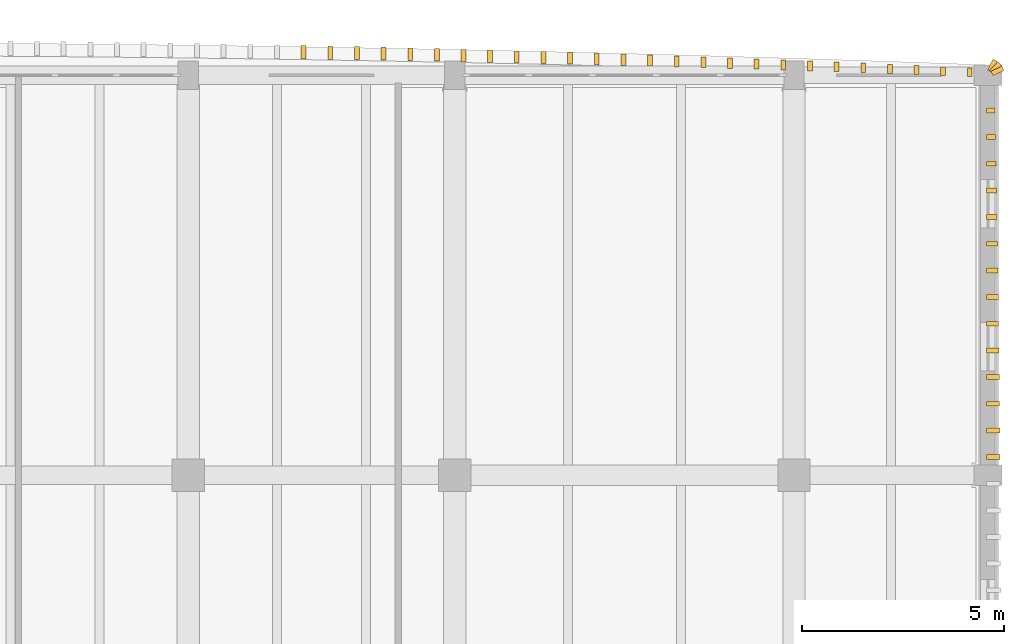
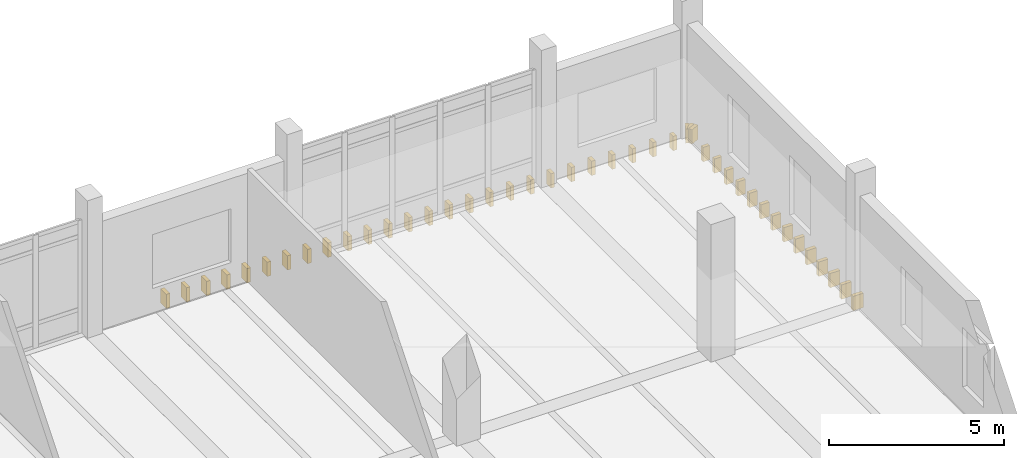
# One storey, part 101 of 101: 43 coverings.
"""IFC4 building model written with IfcOpenShell, lengths in metres."""

from ifc_helpers import new_model, si_unit, direction, frame, origin, origin_2d, place, context, subcontext, project, spatial, rectangle, extrude, material, layer, layer_set, type_object, element, save


model = new_model("IFC4")

# Units and contexts
model_context = context("Model", 3, precision=1e-05, world=origin(), true_north=direction((0.0, 1.0)))
body_context = subcontext(model_context, "Body", "Model", "MODEL_VIEW")
ifc_project = project(units=[si_unit("LENGTHUNIT", "METRE"), si_unit("AREAUNIT", "SQUARE_METRE"), si_unit("VOLUMEUNIT", "CUBIC_METRE"), si_unit("PLANEANGLEUNIT", "RADIAN"), si_unit("MASSUNIT", "GRAM", prefix="KILO")], contexts=[model_context])

# Site, building, storey
site_placement = place(None, origin())
site = spatial("IfcSite", under=ifc_project, at=site_placement, CompositionType="ELEMENT")
building_placement = place(site_placement, origin())
building = spatial("IfcBuilding", under=site, at=building_placement, Name="Dornvale Research Institute", CompositionType="ELEMENT")
storey_placement = place(building_placement, frame((0.0, 0.0, 10.199951171875)))
storey = spatial("IfcBuildingStorey", under=building, at=storey_placement, Name="L02", CompositionType="ELEMENT", Elevation=10.199951171875)

# Coverings
ifc_material = material(Name="Polychrome Glazed Terracotta Visor Rib Ceramic", Category="masonry")
ifc_layer = layer(ifc_material, 0.1201171875)
ifc_layer_set = layer_set([ifc_layer], Name="Polychrome Glazed Terracotta Visor Rib Ceramic")
covering_type = type_object("IfcCoveringType", Name="Covering_VisorBlade_Low", PredefinedType="CLADDING", material=ifc_layer_set)
covering_1_placement = place(storey_placement, frame((177.750244140625, 122.1787109375, -0.489990234375), z_axis=(0.0, 0.0, 1.0), x_axis=(0.0, 1.0, 0.0)))
element("IfcCovering", 1, at=covering_1_placement, inside=storey, type_object=covering_type, Name="L02 V4 canted glazed terracotta visor blade #2072", PredefinedType="CLADDING", context=body_context, shape_type="SweptSolid", body=[
    extrude(rectangle(XDim=0.205078125, YDim=0.1201171875, at=origin_2d()), origin(), (0.0, 0.0, 1.0), 0.5),
])
covering_2_placement = place(storey_placement, frame((177.0908203125, 122.205810546875, -0.489990234375), z_axis=(0.0, 0.0, 1.0), x_axis=(0.0, 1.0, 0.0)))
element("IfcCovering", 2, at=covering_2_placement, inside=storey, type_object=covering_type, Name="L02 V4 canted glazed terracotta visor blade #2073", PredefinedType="CLADDING", context=body_context, shape_type="SweptSolid", body=[
    extrude(rectangle(XDim=0.2119140625, YDim=0.1201171875, at=origin_2d()), origin(), (0.0, 0.0, 1.0), 0.5),
])
covering_3_placement = place(storey_placement, frame((176.43115234375, 122.232421875, -0.489990234375), z_axis=(0.0, 0.0, 1.0), x_axis=(0.0, 1.0, 0.0)))
element("IfcCovering", 3, at=covering_3_placement, inside=storey, type_object=covering_type, Name="L02 V4 canted glazed terracotta visor blade #2074", PredefinedType="CLADDING", context=body_context, shape_type="SweptSolid", body=[
    extrude(rectangle(XDim=0.218017578125, YDim=0.1201171875, at=origin_2d()), origin(), (0.0, 0.0, 1.0), 0.5),
])
covering_4_placement = place(storey_placement, frame((175.771484375, 122.25830078125, -0.489990234375), z_axis=(0.0, 0.0, 1.0), x_axis=(0.0, 1.0, 0.0)))
element("IfcCovering", 4, at=covering_4_placement, inside=storey, type_object=covering_type, Name="L02 V4 canted glazed terracotta visor blade #2075", PredefinedType="CLADDING", context=body_context, shape_type="SweptSolid", body=[
    extrude(rectangle(XDim=0.22509765625, YDim=0.1201171875, at=origin_2d()), origin(), (0.0, 0.0, 1.0), 0.5),
])
covering_5_placement = place(storey_placement, frame((175.11181640625, 122.2841796875, -0.489990234375), z_axis=(0.0, 0.0, 1.0), x_axis=(0.0, 1.0, 0.0)))
element("IfcCovering", 5, at=covering_5_placement, inside=storey, type_object=covering_type, Name="L02 V4 canted glazed terracotta visor blade #2076", PredefinedType="CLADDING", context=body_context, shape_type="SweptSolid", body=[
    extrude(rectangle(XDim=0.23193359375, YDim=0.1201171875, at=origin_2d()), origin(), (0.0, 0.0, 1.0), 0.5),
])
covering_6_placement = place(storey_placement, frame((174.4521484375, 122.30859375, -0.489990234375), z_axis=(0.0, 0.0, 1.0), x_axis=(0.0, 1.0, 0.0)))
element("IfcCovering", 6, at=covering_6_placement, inside=storey, type_object=covering_type, Name="L02 V4 canted glazed terracotta visor blade #2077", PredefinedType="CLADDING", context=body_context, shape_type="SweptSolid", body=[
    extrude(rectangle(XDim=0.238037109375, YDim=0.1201171875, at=origin_2d()), origin(), (0.0, 0.0, 1.0), 0.5),
])
covering_7_placement = place(storey_placement, frame((173.79248046875, 122.332763671875, -0.489990234375), z_axis=(0.0, 0.0, 1.0), x_axis=(0.0, 1.0, 0.0)))
element("IfcCovering", 7, at=covering_7_placement, inside=storey, type_object=covering_type, Name="L02 V4 canted glazed terracotta visor blade #2078", PredefinedType="CLADDING", context=body_context, shape_type="SweptSolid", body=[
    extrude(rectangle(XDim=0.243896484375, YDim=0.1201171875, at=origin_2d()), origin(), (0.0, 0.0, 1.0), 0.5),
])
covering_8_placement = place(storey_placement, frame((173.1328125, 122.356689453125, -0.489990234375), z_axis=(0.0, 0.0, 1.0), x_axis=(0.0, 1.0, 0.0)))
element("IfcCovering", 8, at=covering_8_placement, inside=storey, type_object=covering_type, Name="L02 V4 canted glazed terracotta visor blade #2079", PredefinedType="CLADDING", context=body_context, shape_type="SweptSolid", body=[
    extrude(rectangle(XDim=0.25, YDim=0.1201171875, at=origin_2d()), origin(), (0.0, 0.0, 1.0), 0.5),
])
covering_9_placement = place(storey_placement, frame((172.47314453125, 122.37939453125, -0.489990234375), z_axis=(0.0, 0.0, 1.0), x_axis=(0.0, 1.0, 0.0)))
element("IfcCovering", 9, at=covering_9_placement, inside=storey, type_object=covering_type, Name="L02 V4 canted glazed terracotta visor blade #2080", PredefinedType="CLADDING", context=body_context, shape_type="SweptSolid", body=[
    extrude(rectangle(XDim=0.256103515625, YDim=0.1201171875, at=origin_2d()), origin(), (0.0, 0.0, 1.0), 0.5),
])
covering_10_placement = place(storey_placement, frame((171.8134765625, 122.4013671875, -0.489990234375), z_axis=(0.0, 0.0, 1.0), x_axis=(0.0, 1.0, 0.0)))
element("IfcCovering", 10, at=covering_10_placement, inside=storey, type_object=covering_type, Name="L02 V4 canted glazed terracotta visor blade #2081", PredefinedType="CLADDING", context=body_context, shape_type="SweptSolid", body=[
    extrude(rectangle(XDim=0.260986328125, YDim=0.1201171875, at=origin_2d()), origin(), (0.0, 0.0, 1.0), 0.5),
])
covering_11_placement = place(storey_placement, frame((171.15380859375, 122.423095703125, -0.489990234375), z_axis=(0.0, 0.0, 1.0), x_axis=(0.0, 1.0, 0.0)))
element("IfcCovering", 11, at=covering_11_placement, inside=storey, type_object=covering_type, Name="L02 V4 canted glazed terracotta visor blade #2082", PredefinedType="CLADDING", context=body_context, shape_type="SweptSolid", body=[
    extrude(rectangle(XDim=0.26708984375, YDim=0.1201171875, at=origin_2d()), origin(), (0.0, 0.0, 1.0), 0.5),
])
covering_12_placement = place(storey_placement, frame((170.493896484375, 122.444091796875, -0.489990234375), z_axis=(0.0, 0.0, 1.0), x_axis=(0.0, 1.0, 0.0)))
element("IfcCovering", 12, at=covering_12_placement, inside=storey, type_object=covering_type, Name="L02 V4 canted glazed terracotta visor blade #2083", PredefinedType="CLADDING", context=body_context, shape_type="SweptSolid", body=[
    extrude(rectangle(XDim=0.27197265625, YDim=0.1201171875, at=origin_2d()), origin(), (0.0, 0.0, 1.0), 0.5),
])
covering_13_placement = place(storey_placement, frame((169.834228515625, 122.464599609375, -0.489990234375), z_axis=(0.0, 0.0, 1.0), x_axis=(0.0, 1.0, 0.0)))
element("IfcCovering", 13, at=covering_13_placement, inside=storey, type_object=covering_type, Name="L02 V4 canted glazed terracotta visor blade #2084", PredefinedType="CLADDING", context=body_context, shape_type="SweptSolid", body=[
    extrude(rectangle(XDim=0.277099609375, YDim=0.1201171875, at=origin_2d()), origin(), (0.0, 0.0, 1.0), 0.5),
])
covering_14_placement = place(storey_placement, frame((169.174560546875, 122.484130859375, -0.489990234375), z_axis=(0.0, 0.0, 1.0), x_axis=(0.0, 1.0, 0.0)))
element("IfcCovering", 14, at=covering_14_placement, inside=storey, type_object=covering_type, Name="L02 V4 canted glazed terracotta visor blade #2085", PredefinedType="CLADDING", context=body_context, shape_type="SweptSolid", body=[
    extrude(rectangle(XDim=0.281982421875, YDim=0.1201171875, at=origin_2d()), origin(), (0.0, 0.0, 1.0), 0.5),
])
covering_15_placement = place(storey_placement, frame((168.5146484375, 122.503662109375, -0.489990234375), z_axis=(0.0, 0.0, 1.0), x_axis=(0.0, 1.0, 0.0)))
element("IfcCovering", 15, at=covering_15_placement, inside=storey, type_object=covering_type, Name="L02 V4 canted glazed terracotta visor blade #2086", PredefinedType="CLADDING", context=body_context, shape_type="SweptSolid", body=[
    extrude(rectangle(XDim=0.287109375, YDim=0.1201171875, at=origin_2d()), origin(), (0.0, 0.0, 1.0), 0.5),
])
covering_16_placement = place(storey_placement, frame((167.85498046875, 122.522216796875, -0.489990234375), z_axis=(0.0, 0.0, 1.0), x_axis=(0.0, 1.0, 0.0)))
element("IfcCovering", 16, at=covering_16_placement, inside=storey, type_object=covering_type, Name="L02 V4 canted glazed terracotta visor blade #2087", PredefinedType="CLADDING", context=body_context, shape_type="SweptSolid", body=[
    extrude(rectangle(XDim=0.2919921875, YDim=0.1201171875, at=origin_2d()), origin(), (0.0, 0.0, 1.0), 0.5),
])
covering_17_placement = place(storey_placement, frame((167.195068359375, 122.540283203125, -0.489990234375), z_axis=(0.0, 0.0, 1.0), x_axis=(0.0, 1.0, 0.0)))
element("IfcCovering", 17, at=covering_17_placement, inside=storey, type_object=covering_type, Name="L02 V4 canted glazed terracotta visor blade #2088", PredefinedType="CLADDING", context=body_context, shape_type="SweptSolid", body=[
    extrude(rectangle(XDim=0.297119140625, YDim=0.1201171875, at=origin_2d()), origin(), (0.0, 0.0, 1.0), 0.5),
])
covering_18_placement = place(storey_placement, frame((166.535400390625, 122.5576171875, -0.489990234375), z_axis=(0.0, 0.0, 1.0), x_axis=(0.0, 1.0, 0.0)))
element("IfcCovering", 18, at=covering_18_placement, inside=storey, type_object=covering_type, Name="L02 V4 canted glazed terracotta visor blade #2089", PredefinedType="CLADDING", context=body_context, shape_type="SweptSolid", body=[
    extrude(rectangle(XDim=0.301025390625, YDim=0.1201171875, at=origin_2d()), origin(), (0.0, 0.0, 1.0), 0.5),
])
covering_19_placement = place(storey_placement, frame((165.87548828125, 122.57373046875, -0.489990234375), z_axis=(0.0, 0.0, 1.0), x_axis=(0.0, 1.0, 0.0)))
element("IfcCovering", 19, at=covering_19_placement, inside=storey, type_object=covering_type, Name="L02 V4 canted glazed terracotta visor blade #2090", PredefinedType="CLADDING", context=body_context, shape_type="SweptSolid", body=[
    extrude(rectangle(XDim=0.304931640625, YDim=0.1201171875, at=origin_2d()), origin(), (0.0, 0.0, 1.0), 0.5),
])
covering_20_placement = place(storey_placement, frame((165.215576171875, 122.590087890625, -0.489990234375), z_axis=(0.0, 0.0, 1.0), x_axis=(0.0, 1.0, 0.0)))
element("IfcCovering", 20, at=covering_20_placement, inside=storey, type_object=covering_type, Name="L02 V4 canted glazed terracotta visor blade #2091", PredefinedType="CLADDING", context=body_context, shape_type="SweptSolid", body=[
    extrude(rectangle(XDim=0.30908203125, YDim=0.1201171875, at=origin_2d()), origin(), (0.0, 0.0, 1.0), 0.5),
])
covering_21_placement = place(storey_placement, frame((164.5556640625, 122.60546875, -0.489990234375), z_axis=(0.0, 0.0, 1.0), x_axis=(0.0, 1.0, 0.0)))
element("IfcCovering", 21, at=covering_21_placement, inside=storey, type_object=covering_type, Name="L02 V4 canted glazed terracotta visor blade #2092", PredefinedType="CLADDING", context=body_context, shape_type="SweptSolid", body=[
    extrude(rectangle(XDim=0.31298828125, YDim=0.1201171875, at=origin_2d()), origin(), (0.0, 0.0, 1.0), 0.5),
])
covering_22_placement = place(storey_placement, frame((163.895751953125, 122.620361328125, -0.489990234375), z_axis=(0.0, 0.0, 1.0), x_axis=(0.0, 1.0, 0.0)))
element("IfcCovering", 22, at=covering_22_placement, inside=storey, type_object=covering_type, Name="L02 V4 canted glazed terracotta visor blade #2093", PredefinedType="CLADDING", context=body_context, shape_type="SweptSolid", body=[
    extrude(rectangle(XDim=0.31689453125, YDim=0.1201171875, at=origin_2d()), origin(), (0.0, 0.0, 1.0), 0.5),
])
covering_23_placement = place(storey_placement, frame((163.236083984375, 122.635009765625, -0.489990234375), z_axis=(0.0, 0.0, 1.0), x_axis=(0.0, 1.0, 0.0)))
element("IfcCovering", 23, at=covering_23_placement, inside=storey, type_object=covering_type, Name="L02 V4 canted glazed terracotta visor blade #2094", PredefinedType="CLADDING", context=body_context, shape_type="SweptSolid", body=[
    extrude(rectangle(XDim=0.321044921875, YDim=0.1201171875, at=origin_2d()), origin(), (0.0, 0.0, 1.0), 0.5),
])
covering_24_placement = place(storey_placement, frame((162.576171875, 122.648193359375, -0.489990234375), z_axis=(0.0, 0.0, 1.0), x_axis=(0.0, 1.0, 0.0)))
element("IfcCovering", 24, at=covering_24_placement, inside=storey, type_object=covering_type, Name="L02 V4 canted glazed terracotta visor blade #2095", PredefinedType="CLADDING", context=body_context, shape_type="SweptSolid", body=[
    extrude(rectangle(XDim=0.323974609375, YDim=0.1201171875, at=origin_2d()), origin(), (0.0, 0.0, 1.0), 0.5),
])
covering_25_placement = place(storey_placement, frame((161.916259765625, 122.6611328125, -0.489990234375), z_axis=(0.0, 0.0, 1.0), x_axis=(0.0, 1.0, 0.0)))
element("IfcCovering", 25, at=covering_25_placement, inside=storey, type_object=covering_type, Name="L02 V4 canted glazed terracotta visor blade #2096", PredefinedType="CLADDING", context=body_context, shape_type="SweptSolid", body=[
    extrude(rectangle(XDim=0.326904296875, YDim=0.1201171875, at=origin_2d()), origin(), (0.0, 0.0, 1.0), 0.5),
])
covering_26_placement = place(storey_placement, frame((161.256103515625, 122.673095703125, -0.489990234375), z_axis=(0.0, 0.0, 1.0), x_axis=(0.0, 1.0, 0.0)))
element("IfcCovering", 26, at=covering_26_placement, inside=storey, type_object=covering_type, Name="L02 V4 canted glazed terracotta visor blade #2097", PredefinedType="CLADDING", context=body_context, shape_type="SweptSolid", body=[
    extrude(rectangle(XDim=0.330078125, YDim=0.1201171875, at=origin_2d()), origin(), (0.0, 0.0, 1.0), 0.5),
])
covering_27_placement = place(storey_placement, frame((178.32958984375, 112.64990234375, -0.489990234375), z_axis=(0.0, 0.0, 1.0), x_axis=(1.0, 0.0, 0.0)))
element("IfcCovering", 27, at=covering_27_placement, inside=storey, type_object=covering_type, Name="L02 V4 canted glazed terracotta visor blade #2191", PredefinedType="CLADDING", context=body_context, shape_type="SweptSolid", body=[
    extrude(rectangle(XDim=0.339111328125, YDim=0.1201171875, at=origin_2d()), origin(), (0.0, 0.0, 1.0), 0.5),
])
covering_28_placement = place(storey_placement, frame((178.326416015625, 113.31005859375, -0.489990234375), z_axis=(0.0, 0.0, 1.0), x_axis=(1.0, 0.0, 0.0)))
element("IfcCovering", 28, at=covering_28_placement, inside=storey, type_object=covering_type, Name="L02 V4 canted glazed terracotta visor blade #2192", PredefinedType="CLADDING", context=body_context, shape_type="SweptSolid", body=[
    extrude(rectangle(XDim=0.3330078125, YDim=0.1201171875, at=origin_2d()), origin(), (0.0, 0.0, 1.0), 0.5),
])
covering_29_placement = place(storey_placement, frame((178.323486328125, 113.969970703125, -0.489990234375), z_axis=(0.0, 0.0, 1.0), x_axis=(1.0, 0.0, 0.0)))
element("IfcCovering", 29, at=covering_29_placement, inside=storey, type_object=covering_type, Name="L02 V4 canted glazed terracotta visor blade #2193", PredefinedType="CLADDING", context=body_context, shape_type="SweptSolid", body=[
    extrude(rectangle(XDim=0.326904296875, YDim=0.1201171875, at=origin_2d()), origin(), (0.0, 0.0, 1.0), 0.5),
])
covering_30_placement = place(storey_placement, frame((178.320068359375, 114.6298828125, -0.489990234375), z_axis=(0.0, 0.0, 1.0), x_axis=(1.0, 0.0, 0.0)))
element("IfcCovering", 30, at=covering_30_placement, inside=storey, type_object=covering_type, Name="L02 V4 canted glazed terracotta visor blade #2194", PredefinedType="CLADDING", context=body_context, shape_type="SweptSolid", body=[
    extrude(rectangle(XDim=0.320068359375, YDim=0.1201171875, at=origin_2d()), origin(), (0.0, 0.0, 1.0), 0.5),
])
covering_31_placement = place(storey_placement, frame((178.31640625, 115.2900390625, -0.489990234375), z_axis=(0.0, 0.0, 1.0), x_axis=(1.0, 0.0, 0.0)))
element("IfcCovering", 31, at=covering_31_placement, inside=storey, type_object=covering_type, Name="L02 V4 canted glazed terracotta visor blade #2195", PredefinedType="CLADDING", context=body_context, shape_type="SweptSolid", body=[
    extrude(rectangle(XDim=0.31298828125, YDim=0.1201171875, at=origin_2d()), origin(), (0.0, 0.0, 1.0), 0.5),
])
covering_32_placement = place(storey_placement, frame((178.3125, 115.949951171875, -0.489990234375), z_axis=(0.0, 0.0, 1.0), x_axis=(1.0, 0.0, 0.0)))
element("IfcCovering", 32, at=covering_32_placement, inside=storey, type_object=covering_type, Name="L02 V4 canted glazed terracotta visor blade #2196", PredefinedType="CLADDING", context=body_context, shape_type="SweptSolid", body=[
    extrude(rectangle(XDim=0.304931640625, YDim=0.1201171875, at=origin_2d()), origin(), (0.0, 0.0, 1.0), 0.5),
])
covering_33_placement = place(storey_placement, frame((178.30810546875, 116.610107421875, -0.489990234375), z_axis=(0.0, 0.0, 1.0), x_axis=(1.0, 0.0, 0.0)))
element("IfcCovering", 33, at=covering_33_placement, inside=storey, type_object=covering_type, Name="L02 V4 canted glazed terracotta visor blade #2197", PredefinedType="CLADDING", context=body_context, shape_type="SweptSolid", body=[
    extrude(rectangle(XDim=0.2958984375, YDim=0.1201171875, at=origin_2d()), origin(), (0.0, 0.0, 1.0), 0.5),
])
covering_34_placement = place(storey_placement, frame((178.303466796875, 117.27001953125, -0.489990234375), z_axis=(0.0, 0.0, 1.0), x_axis=(1.0, 0.0, 0.0)))
element("IfcCovering", 34, at=covering_34_placement, inside=storey, type_object=covering_type, Name="L02 V4 canted glazed terracotta visor blade #2198", PredefinedType="CLADDING", context=body_context, shape_type="SweptSolid", body=[
    extrude(rectangle(XDim=0.287109375, YDim=0.1201171875, at=origin_2d()), origin(), (0.0, 0.0, 1.0), 0.5),
])
covering_35_placement = place(storey_placement, frame((178.298583984375, 117.929931640625, -0.489990234375), z_axis=(0.0, 0.0, 1.0), x_axis=(1.0, 0.0, 0.0)))
element("IfcCovering", 35, at=covering_35_placement, inside=storey, type_object=covering_type, Name="L02 V4 canted glazed terracotta visor blade #2199", PredefinedType="CLADDING", context=body_context, shape_type="SweptSolid", body=[
    extrude(rectangle(XDim=0.277099609375, YDim=0.1201171875, at=origin_2d()), origin(), (0.0, 0.0, 1.0), 0.5),
])
covering_36_placement = place(storey_placement, frame((178.29345703125, 118.590087890625, -0.489990234375), z_axis=(0.0, 0.0, 1.0), x_axis=(1.0, 0.0, 0.0)))
element("IfcCovering", 36, at=covering_36_placement, inside=storey, type_object=covering_type, Name="L02 V4 canted glazed terracotta visor blade #2200", PredefinedType="CLADDING", context=body_context, shape_type="SweptSolid", body=[
    extrude(rectangle(XDim=0.26708984375, YDim=0.1201171875, at=origin_2d()), origin(), (0.0, 0.0, 1.0), 0.5),
])
covering_37_placement = place(storey_placement, frame((178.2880859375, 119.25, -0.489990234375), z_axis=(0.0, 0.0, 1.0), x_axis=(1.0, 0.0, 0.0)))
element("IfcCovering", 37, at=covering_37_placement, inside=storey, type_object=covering_type, Name="L02 V4 canted glazed terracotta visor blade #2201", PredefinedType="CLADDING", context=body_context, shape_type="SweptSolid", body=[
    extrude(rectangle(XDim=0.256103515625, YDim=0.1201171875, at=origin_2d()), origin(), (0.0, 0.0, 1.0), 0.5),
])
covering_38_placement = place(storey_placement, frame((178.281982421875, 119.909912109375, -0.489990234375), z_axis=(0.0, 0.0, 1.0), x_axis=(1.0, 0.0, 0.0)))
element("IfcCovering", 38, at=covering_38_placement, inside=storey, type_object=covering_type, Name="L02 V4 canted glazed terracotta visor blade #2202", PredefinedType="CLADDING", context=body_context, shape_type="SweptSolid", body=[
    extrude(rectangle(XDim=0.243896484375, YDim=0.1201171875, at=origin_2d()), origin(), (0.0, 0.0, 1.0), 0.5),
])
covering_39_placement = place(storey_placement, frame((178.275390625, 120.570068359375, -0.489990234375), z_axis=(0.0, 0.0, 1.0), x_axis=(1.0, 0.0, 0.0)))
element("IfcCovering", 39, at=covering_39_placement, inside=storey, type_object=covering_type, Name="L02 V4 canted glazed terracotta visor blade #2203", PredefinedType="CLADDING", context=body_context, shape_type="SweptSolid", body=[
    extrude(rectangle(XDim=0.23095703125, YDim=0.1201171875, at=origin_2d()), origin(), (0.0, 0.0, 1.0), 0.5),
])
covering_40_placement = place(storey_placement, frame((178.26904296875, 121.22998046875, -0.489990234375), z_axis=(0.0, 0.0, 1.0), x_axis=(1.0, 0.0, 0.0)))
element("IfcCovering", 40, at=covering_40_placement, inside=storey, type_object=covering_type, Name="L02 V4 canted glazed terracotta visor blade #2204", PredefinedType="CLADDING", context=body_context, shape_type="SweptSolid", body=[
    extrude(rectangle(XDim=0.218017578125, YDim=0.1201171875, at=origin_2d()), origin(), (0.0, 0.0, 1.0), 0.5),
])
for number, where, z_axis, x_axis, name in (
    (41, (178.435546875, 122.2099609375, -0.489990234375), (0.0, 0.0, 1.0), (0.906307787037, 0.422618261741, 0.0), "L02 V4 corner-wrapping visor blade #2249"),
    (42, (178.3837890625, 122.28369140625, -0.489990234375), (0.0, 0.0, 1.0), (0.707106781187, 0.707106781187, 0.0), "L02 V4 corner-wrapping visor blade #2250"),
    (43, (178.309814453125, 122.335693359375, -0.489990234375), (0.0, 0.0, 1.0), (0.422618261741, 0.906307787037, 0.0), "L02 V4 corner-wrapping visor blade #2251"),
):
    element("IfcCovering", number, at=place(storey_placement, frame(where, z_axis=z_axis, x_axis=x_axis)), inside=storey, type_object=covering_type, Name=name, PredefinedType="CLADDING", context=body_context, shape_type="SweptSolid", body=[
        extrude(rectangle(XDim=0.300048828125, YDim=0.1201171875, at=origin_2d()), origin(), (0.0, 0.0, 1.0), 0.5),
    ])

save(model, "model.ifc")
